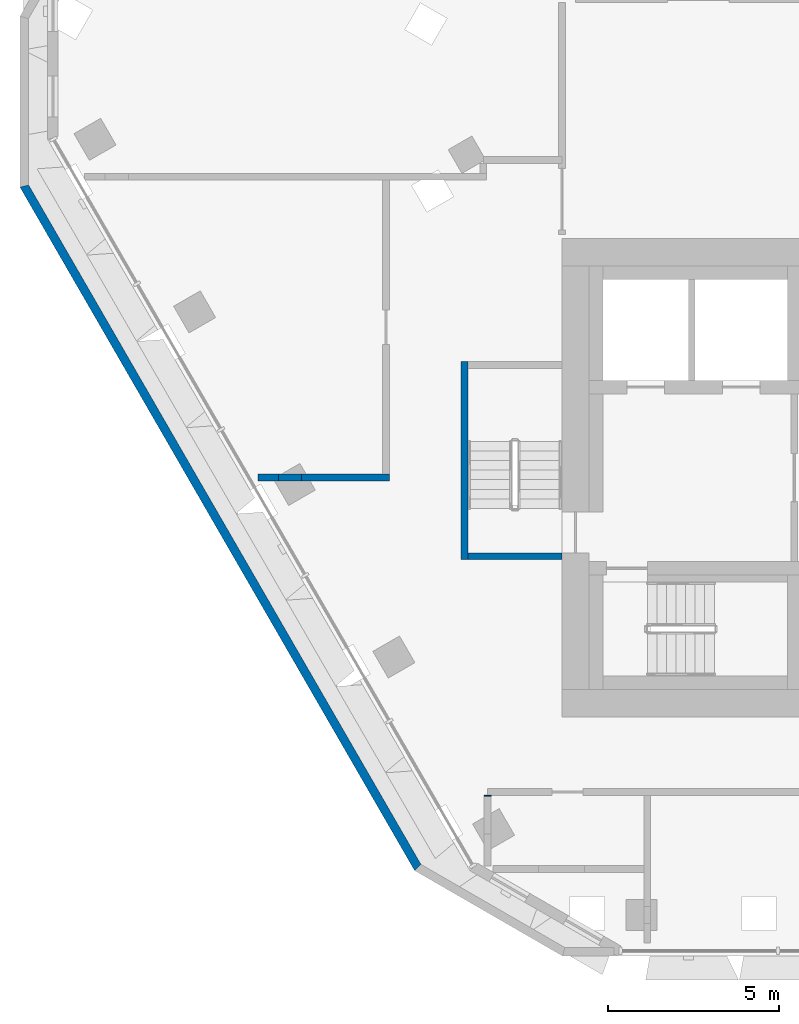
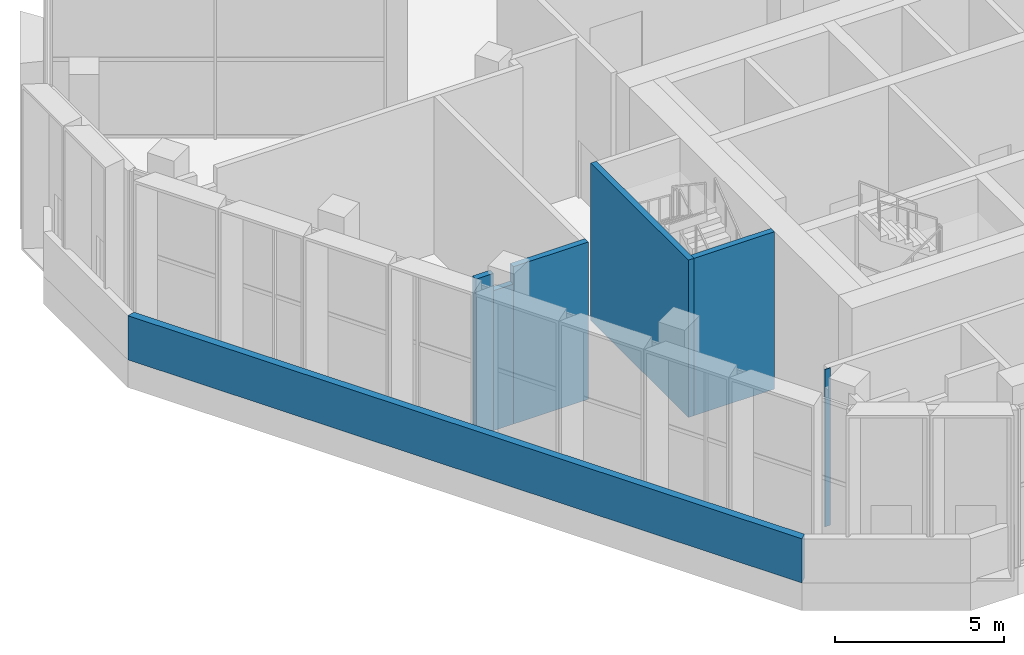
# One storey, part 10 of 27: 7 walls.
"""IFC4 building model written with IfcOpenShell, lengths in metres."""

from ifc_helpers import new_model, si_unit, direction, frame, frame_2d, origin, place, context, subcontext, project, spatial, polyline, rectangle, outline, extrude, material, layer, layer_set, type_object, element, save


model = new_model("IFC4")

# Units and contexts
model_context = context("Model", 3, precision=1e-05, world=origin(), true_north=direction((0.0, 1.0)))
body_context = subcontext(model_context, "Body", "Model", "MODEL_VIEW")
ifc_project = project(units=[si_unit("LENGTHUNIT", "METRE"), si_unit("AREAUNIT", "SQUARE_METRE"), si_unit("VOLUMEUNIT", "CUBIC_METRE"), si_unit("PLANEANGLEUNIT", "RADIAN"), si_unit("MASSUNIT", "GRAM", prefix="KILO")], contexts=[model_context])

# Site, building, storey
site_placement = place(None, origin())
site = spatial("IfcSite", under=ifc_project, at=site_placement, CompositionType="ELEMENT")
building_placement = place(site_placement, origin())
building = spatial("IfcBuilding", under=site, at=building_placement, Name="Beryl Residences", CompositionType="ELEMENT")
storey_placement = place(building_placement, frame((0.0, 0.0, 111.60009765625)))
storey = spatial("IfcBuildingStorey", under=building, at=storey_placement, Name="L34", CompositionType="ELEMENT", Elevation=111.60009765625)

# Walls
ifc_material_1 = material(Name="Precast concrete C40/50", Category="concrete")
ifc_layer_1 = layer(ifc_material_1, 0.25)
ifc_layer_set_1 = layer_set([ifc_layer_1], Name="PA1 roof parapet 250 mm")
wall_type_1 = type_object("IfcWallType", Name="PA1 roof parapet 250 mm", PredefinedType="PARAPET", material=ifc_layer_set_1)
wall_1_placement = place(storey_placement, frame((-17.5, -23.43701171875, 0.0), z_axis=(0.0, 0.0, 1.0), x_axis=(-0.500085431376, 0.865976074338, 0.0)))
element("IfcWall", 1, at=wall_1_placement, inside=storey, type_object=wall_type_1, Name="PA1 parapet L34 strip 3", PredefinedType="PARAPET", context=body_context, shape_type="SweptSolid", body=[
    extrude(outline(polyline([(0.06689453125, -0.125), (23.02734375, -0.125), (23.09423828125, 0.125), (0.0, 0.125), (0.06689453125, -0.125)])), origin(), (0.0, 0.0, 1.0), 1.599853515625),
])
ifc_material_2 = material(Name="Cement board with tiles")
ifc_layer_2 = layer(ifc_material_2, 0.199951171875)
ifc_layer_set_2 = layer_set([ifc_layer_2], Name="PT11-200 wet area wall 200 mm")
wall_type_2 = type_object("IfcWallType", Name="PT11-200 wet area wall 200 mm", PredefinedType="PARTITIONING", material=ifc_layer_set_2)
wall_2_placement = place(storey_placement, frame((-15.472900390625, -21.325927734375, 0.0), z_axis=(0.0, 0.0, 1.0), x_axis=(0.0, 1.0, 0.0)))
element("IfcWall", 2, at=wall_2_placement, inside=storey, type_object=wall_type_2, Name="Wall PT11-200 L34 009", PredefinedType="PARTITIONING", context=body_context, shape_type="SweptSolid", body=[
    extrude(rectangle(XDim=0.02587890625, YDim=0.199951171875, at=frame_2d((0.012939453125, 0.0))), origin(), (0.0, 0.0, 1.0), 5.699951171875),
])
ifc_material_3 = material(Name="Double stud gypsum board wall")
ifc_layer_3 = layer(ifc_material_3, 0.199951171875)
ifc_layer_set_3 = layer_set([ifc_layer_3], Name="PT4 corridor wall 200 mm double stud")
wall_type_3 = type_object("IfcWallType", Name="PT4 corridor wall 200 mm double stud", PredefinedType="PARTITIONING", material=ifc_layer_set_3)
wall_3_placement = place(storey_placement, frame((-22.193115234375, -12.0, 0.0), z_axis=(0.0, 0.0, 1.0), x_axis=(1.0, 0.0, 0.0)))
element("IfcWall", 3, at=wall_3_placement, inside=storey, type_object=wall_type_3, Name="Wall PT4 L34 005", PredefinedType="PARTITIONING", context=body_context, shape_type="SweptSolid", body=[
    extrude(rectangle(XDim=0.60107421875, YDim=0.199951171875, at=frame_2d((0.300537109375, 0.0))), origin(), (0.0, 0.0, 1.0), 5.699951171875),
])
wall_4_placement = place(storey_placement, frame((-21.592041015625, -12.0, 0.0), z_axis=(0.0, 0.0, 1.0), x_axis=(1.0, 0.0, 0.0)))
element("IfcWall", 4, at=wall_4_placement, inside=storey, type_object=wall_type_3, Name="Wall PT4 L34 006", PredefinedType="PARTITIONING", context=body_context, shape_type="SweptSolid", body=[
    extrude(rectangle(XDim=0.677001953125, YDim=0.199951171875, at=frame_2d((0.33837890625, 0.0))), origin(), (0.0, 0.0, 1.0), 5.06982421875),
])
wall_5_placement = place(storey_placement, frame((-20.9150390625, -12.0, 0.0), z_axis=(0.0, 0.0, 1.0), x_axis=(1.0, 0.0, 0.0)))
element("IfcWall", 5, at=wall_5_placement, inside=storey, type_object=wall_type_3, Name="Wall PT4 L34 007", PredefinedType="PARTITIONING", context=body_context, shape_type="SweptSolid", body=[
    extrude(rectangle(XDim=2.56494140625, YDim=0.199951171875, at=frame_2d((1.282470703125, 0.0))), origin(), (0.0, 0.0, 1.0), 5.699951171875),
])
ifc_material_4 = material(Name="Concrete C40/50", Category="concrete")
ifc_layer_4 = layer(ifc_material_4, 0.199951171875)
ifc_layer_set_4 = layer_set([ifc_layer_4], Name="PT5 stair enclosure wall 200 mm reinforced concrete C40/50")
wall_type_4 = type_object("IfcWallType", Name="PT5 stair enclosure wall 200 mm reinforced concrete C40/50", PredefinedType="SOLIDWALL", material=ifc_layer_set_4)
wall_6_placement = place(storey_placement, frame((-16.14990234375, -14.39990234375, 0.0), z_axis=(0.0, 0.0, 1.0), x_axis=(0.0, 1.0, 0.0)))
element("IfcWall", 6, at=wall_6_placement, inside=storey, type_object=wall_type_4, Name="Stair wall 01", PredefinedType="SOLIDWALL", context=body_context, shape_type="SweptSolid", body=[
    extrude(rectangle(XDim=5.7998046875, YDim=0.199951171875, at=frame_2d((2.89990234375, 0.0))), origin(), (0.0, 0.0, 1.0), 5.699951171875),
])
wall_7_placement = place(storey_placement, frame((-16.050048828125, -14.300048828125, 0.0), z_axis=(0.0, 0.0, 1.0), x_axis=(1.0, 0.0, 0.0)))
element("IfcWall", 7, at=wall_7_placement, inside=storey, type_object=wall_type_4, Name="Stair wall 02", PredefinedType="SOLIDWALL", context=body_context, shape_type="SweptSolid", body=[
    extrude(rectangle(XDim=2.75, YDim=0.199951171875, at=frame_2d((1.375, 0.0))), origin(), (0.0, 0.0, 1.0), 5.699951171875),
])

save(model, "model.ifc")
